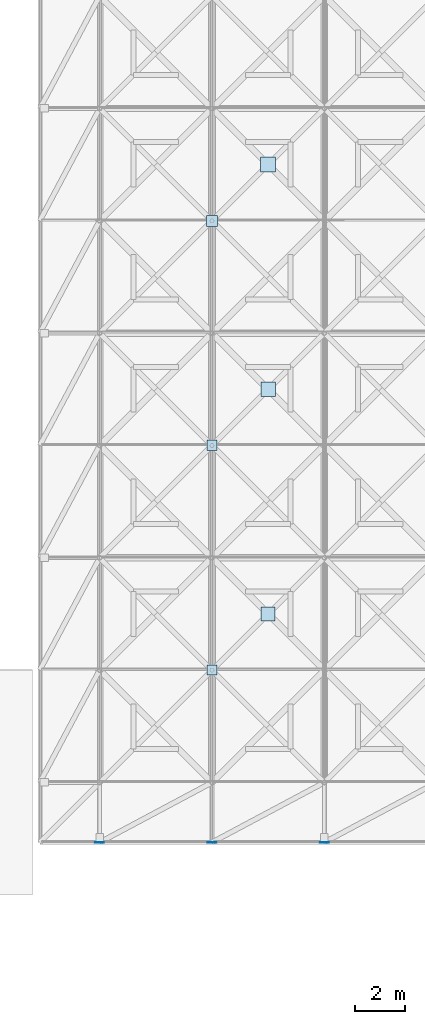
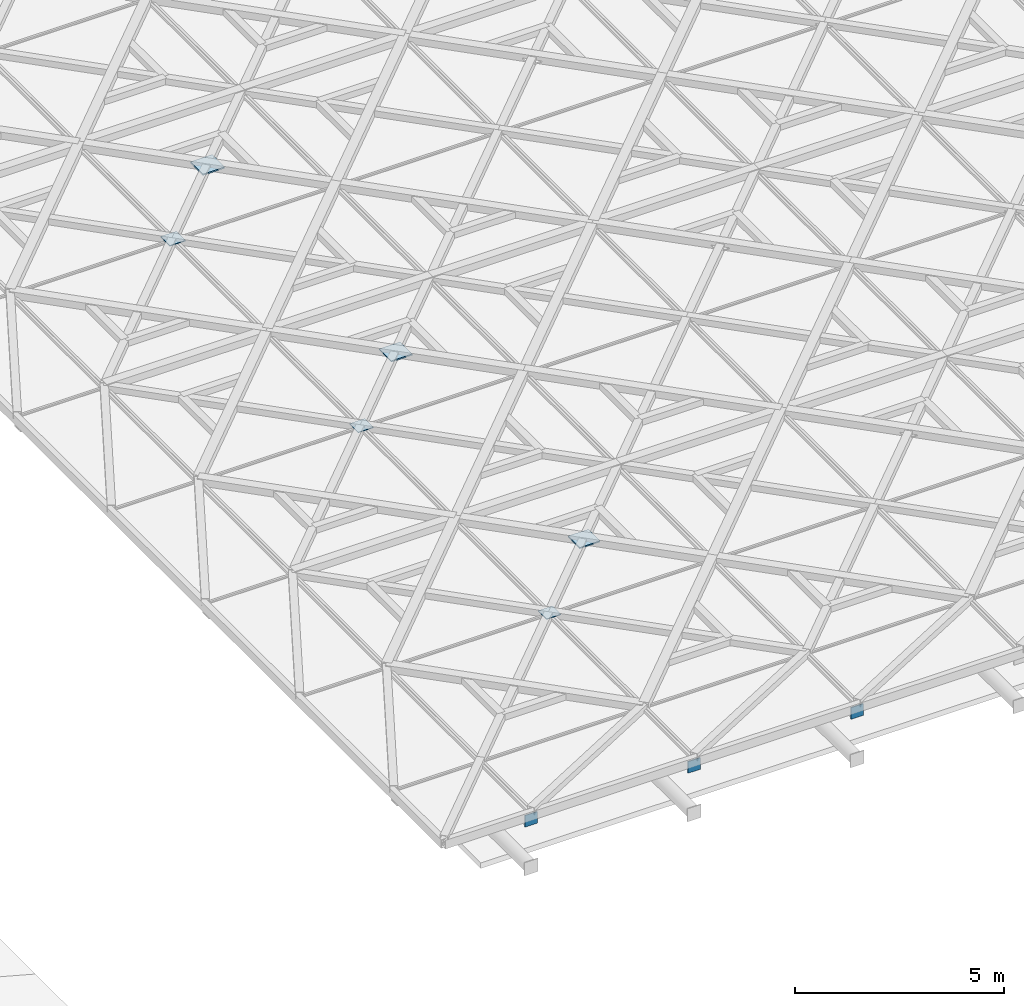
# One storey, part 65 of 80: 9 plates.
"""IFC4 building model written with IfcOpenShell, lengths in metres."""

from ifc_helpers import new_model, si_unit, direction, frame, origin, origin_2d, place, context, subcontext, project, spatial, rectangle, extrude, material, layer, layer_set, type_object, element, save


model = new_model("IFC4")

# Units and contexts
model_context = context("Model", 3, precision=1e-05, world=origin(), true_north=direction((0.0, 1.0)))
body_context = subcontext(model_context, "Body", "Model", "MODEL_VIEW")
ifc_project = project(units=[si_unit("LENGTHUNIT", "METRE"), si_unit("AREAUNIT", "SQUARE_METRE"), si_unit("VOLUMEUNIT", "CUBIC_METRE"), si_unit("PLANEANGLEUNIT", "RADIAN"), si_unit("MASSUNIT", "GRAM", prefix="KILO"), si_unit("THERMODYNAMICTEMPERATUREUNIT", "KELVIN"), si_unit("POWERUNIT", "WATT")], contexts=[model_context])

# Site, building, storey
site_placement = place(None, origin())
site = spatial("IfcSite", under=ifc_project, at=site_placement, CompositionType="ELEMENT")
building_placement = place(site_placement, origin())
building = spatial("IfcBuilding", under=site, at=building_placement, Name="Tallowbark Science Centre", CompositionType="ELEMENT")
storey_placement = place(building_placement, frame((0.0, 0.0, 25.949951171875)))
storey = spatial("IfcBuildingStorey", under=building, at=storey_placement, Name="ROOF", CompositionType="ELEMENT", Elevation=25.949951171875)

# Plates
ifc_material = material(Name="Structural Steel Grade 300PLUS (300 MPa)", Category="steel")
ifc_layer_1 = layer(ifc_material, 0.02001953125)
ifc_layer_set_1 = layer_set([ifc_layer_1], Name="Structural Steel Grade 300PLUS (300 MPa)")
plate_type_1 = type_object("IfcPlateType", Name="PLT-GUS-20", PredefinedType="SHEET", material=ifc_layer_set_1)
plate_1_placement = place(storey_placement, frame((63.0, 9.0, 0.43994140625), z_axis=(0.0, 0.0, 1.0), x_axis=(1.0, 0.0, 0.0)))
element("IfcPlate", 1, at=plate_1_placement, inside=storey, type_object=plate_type_1, Name="Star X-Brace Crossing Gusset Plate TOP-54", PredefinedType="SHEET", context=body_context, shape_type="SweptSolid", body=[
    extrude(rectangle(XDim=0.39990234375, YDim=0.39990234375, at=origin_2d()), origin(), (0.0, 0.0, 1.0), 0.02001953125),
])
ifc_layer_2 = layer(ifc_material, 0.02001953125)
ifc_layer_set_2 = layer_set([ifc_layer_2], Name="Structural Steel Grade 300PLUS (300 MPa)")
plate_type_2 = type_object("IfcPlateType", Name="PLT-GUS-20B", PredefinedType="SHEET", material=ifc_layer_set_2)
for number, where, z_axis, x_axis, name in (
    (2, (58.5, 2.092041015625, 0.02001953125), (0.0, 0.0, 1.0), (1.0, 0.0, 0.0), "Truss Eave End Cap Plate S-1"),
    (3, (63.0, 2.092041015625, 0.02001953125), (0.0, 0.0, 1.0), (1.0, 0.0, 0.0), "Truss Eave End Cap Plate S-2"),
    (4, (67.5, 2.092041015625, 0.02001953125), (0.0, 0.0, 1.0), (1.0, 0.0, 0.0), "Truss Eave End Cap Plate S-3"),
):
    element("IfcPlate", number, at=place(storey_placement, frame(where, z_axis=z_axis, x_axis=x_axis)), inside=storey, type_object=plate_type_2, Name=name, PredefinedType="SHEET", context=body_context, shape_type="SweptSolid", body=[
        extrude(rectangle(XDim=0.340087890625, YDim=0.02001953125, at=origin_2d()), origin(), (0.0, 0.0, 1.0), 0.340087890625),
    ])
ifc_layer_3 = layer(ifc_material, 0.02197265625)
ifc_layer_set_3 = layer_set([ifc_layer_3], Name="Structural Steel Grade 300PLUS (300 MPa)")
plate_type_3 = type_object("IfcPlateType", Name="PLT-GUS-22", PredefinedType="SHEET", material=ifc_layer_set_3)
plate_2_placement = place(storey_placement, frame((63.0, 18.0, 0.43896484375), z_axis=(0.0, 0.0, 1.0), x_axis=(1.0, 0.0, 0.0)))
element("IfcPlate", 5, at=plate_2_placement, inside=storey, type_object=plate_type_3, Name="Star X-Brace Crossing Gusset Plate TOP-55", PredefinedType="SHEET", context=body_context, shape_type="SweptSolid", body=[
    extrude(rectangle(XDim=0.419921875, YDim=0.419921875, at=origin_2d()), origin(), (0.0, 0.0, 1.0), 0.02197265625),
])
ifc_layer_4 = layer(ifc_material, 0.02392578125)
ifc_layer_set_4 = layer_set([ifc_layer_4], Name="Structural Steel Grade 300PLUS (300 MPa)")
plate_type_4 = type_object("IfcPlateType", Name="PLT-GUS-24", PredefinedType="SHEET", material=ifc_layer_set_4)
plate_3_placement = place(storey_placement, frame((63.0, 27.0, 0.43798828125), z_axis=(0.0, 0.0, 1.0), x_axis=(1.0, 0.0, 0.0)))
element("IfcPlate", 6, at=plate_3_placement, inside=storey, type_object=plate_type_4, Name="Star X-Brace Crossing Gusset Plate TOP-56", PredefinedType="SHEET", context=body_context, shape_type="SweptSolid", body=[
    extrude(rectangle(XDim=0.43994140625, YDim=0.43994140625, at=origin_2d()), origin(), (0.0, 0.0, 1.0), 0.02392578125),
])
ifc_layer_5 = layer(ifc_material, 0.035888671875)
ifc_layer_set_5 = layer_set([ifc_layer_5], Name="Structural Steel Grade 300PLUS (300 MPa)")
plate_type_5 = type_object("IfcPlateType", Name="PLT-GUS-36", PredefinedType="SHEET", material=ifc_layer_set_5)
plate_4_placement = place(storey_placement, frame((65.25, 11.25, 0.43212890625), z_axis=(0.0, 0.0, 1.0), x_axis=(1.0, 0.0, 0.0)))
element("IfcPlate", 7, at=plate_4_placement, inside=storey, type_object=plate_type_5, Name="Star Primary Chord Crossing Gusset Plate TOP-54", PredefinedType="SHEET", context=body_context, shape_type="SweptSolid", body=[
    extrude(rectangle(XDim=0.56005859375, YDim=0.56005859375, at=origin_2d()), origin(), (0.0, 0.0, 1.0), 0.035888671875),
])
ifc_layer_6 = layer(ifc_material, 0.0380859375)
ifc_layer_set_6 = layer_set([ifc_layer_6], Name="Structural Steel Grade 300PLUS (300 MPa)")
plate_type_6 = type_object("IfcPlateType", Name="PLT-GUS-38", PredefinedType="SHEET", material=ifc_layer_set_6)
plate_5_placement = place(storey_placement, frame((65.25, 20.25, 0.430908203125), z_axis=(0.0, 0.0, 1.0), x_axis=(1.0, 0.0, 0.0)))
element("IfcPlate", 8, at=plate_5_placement, inside=storey, type_object=plate_type_6, Name="Star Primary Chord Crossing Gusset Plate TOP-55", PredefinedType="SHEET", context=body_context, shape_type="SweptSolid", body=[
    extrude(rectangle(XDim=0.580078125, YDim=0.580078125, at=origin_2d()), origin(), (0.0, 0.0, 1.0), 0.0380859375),
])
ifc_layer_7 = layer(ifc_material, 0.0400390625)
ifc_layer_set_7 = layer_set([ifc_layer_7], Name="Structural Steel Grade 300PLUS (300 MPa)")
plate_type_7 = type_object("IfcPlateType", Name="PLT-GUS-40", PredefinedType="SHEET", material=ifc_layer_set_7)
plate_6_placement = place(storey_placement, frame((65.25, 29.25, 0.429931640625), z_axis=(0.0, 0.0, 1.0), x_axis=(1.0, 0.0, 0.0)))
element("IfcPlate", 9, at=plate_6_placement, inside=storey, type_object=plate_type_7, Name="Star Primary Chord Crossing Gusset Plate TOP-56", PredefinedType="SHEET", context=body_context, shape_type="SweptSolid", body=[
    extrude(rectangle(XDim=0.60009765625, YDim=0.60009765625, at=origin_2d()), origin(), (0.0, 0.0, 1.0), 0.0400390625),
])

save(model, "model.ifc")
